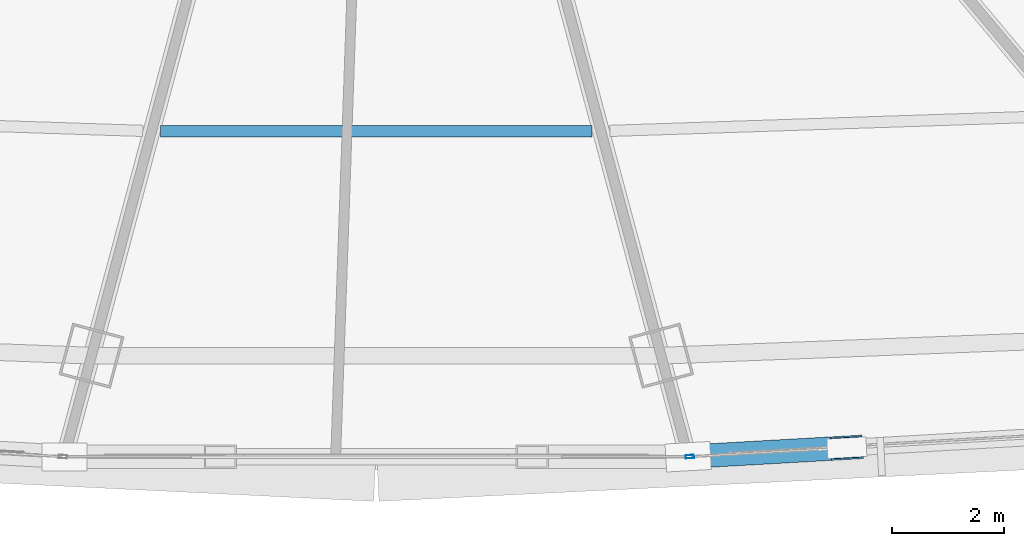
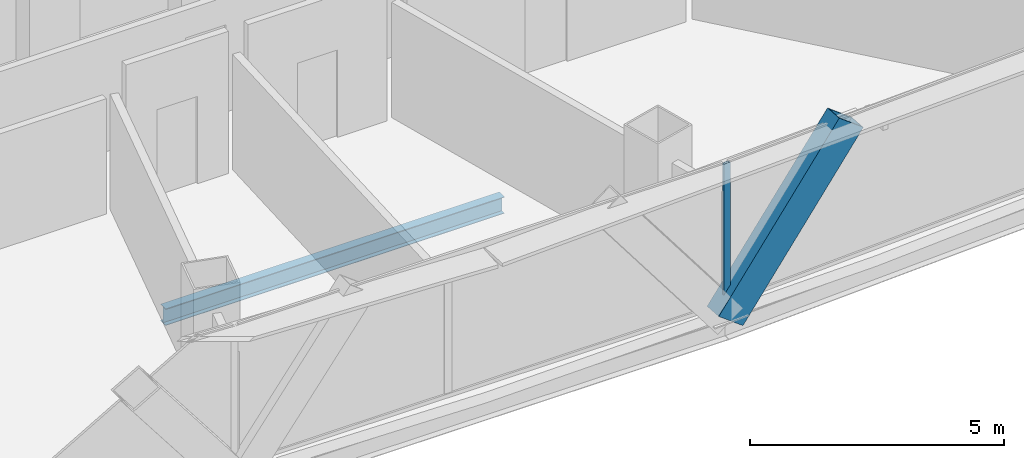
# One storey, part 12 of 42: 2 members, 1 beam, 1 element without a shape of its own.
"""IFC4 building model written with IfcOpenShell, lengths in metres."""

from ifc_helpers import new_model, si_unit, direction, frame, origin, origin_2d, place, context, subcontext, project, spatial, hollow_rectangle, i_section, extrude, source, transform, mapped, material, layer, layer_set, material_profile, profile_set, type_object, element, aggregate, save


model = new_model("IFC4")

# Units and contexts
model_context = context("Model", 3, precision=1e-05, world=origin(), true_north=direction((0.0, 1.0)))
body_context = subcontext(model_context, "Body", "Model", "MODEL_VIEW")
ifc_project = project(units=[si_unit("LENGTHUNIT", "METRE"), si_unit("AREAUNIT", "SQUARE_METRE"), si_unit("VOLUMEUNIT", "CUBIC_METRE"), si_unit("PLANEANGLEUNIT", "RADIAN"), si_unit("MASSUNIT", "GRAM", prefix="KILO"), si_unit("THERMODYNAMICTEMPERATUREUNIT", "KELVIN"), si_unit("POWERUNIT", "WATT")], contexts=[model_context])

# Site, building, storey
site_placement = place(None, origin())
site = spatial("IfcSite", under=ifc_project, at=site_placement, CompositionType="ELEMENT")
building_placement = place(site_placement, origin())
building = spatial("IfcBuilding", under=site, at=building_placement, Name="Yunzhuo Pagoda Commons", CompositionType="ELEMENT")
storey_placement = place(building_placement, frame((0.0, 0.0, 129.830078125)))
storey = spatial("IfcBuildingStorey", under=building, at=storey_placement, Name="L32", CompositionType="ELEMENT", Elevation=129.830078125)

# Beam
ifc_material_1 = material(Name="Structural steel Q355B", Category="steel")
ifc_material_profile_1 = material_profile(ifc_material_1, i_section(OverallWidth=0.199951171875, OverallDepth=0.39990234375, WebThickness=0.008056640625, FlangeThickness=0.012939453125, at=origin_2d()), Name="Structural steel Q355B")
ifc_profile_set_1 = profile_set([ifc_material_profile_1], Name="Structural steel Q355B")
beam_type = type_object("IfcBeamType", Name="B-JS1 Joist HN 400x200x8x13", PredefinedType="JOIST", material=ifc_profile_set_1)
shared_shape_1 = source(origin(), body_context, "Body", "SweptSolid", [
    extrude(i_section(OverallWidth=0.199951171875, OverallDepth=0.39990234375, WebThickness=0.008056640625, FlangeThickness=0.012939453125, at=origin_2d()), origin(), (0.0, 0.0, 1.0), 7.7041015625),
])
beam_placement = place(storey_placement, frame((44.14794921875, 18.730712890625, -0.4599609375), z_axis=(1.0, 0.0, 0.0), x_axis=(0.0, 1.0, 0.0)))
element("IfcBeam", 1, at=beam_placement, inside=storey, type_object=beam_type, Name="L32 composite ring joist 2.2", PredefinedType="JOIST", context=body_context, shape_type="MappedRepresentation", body=[
    mapped(shared_shape_1, transform((0.0, 0.0, 0.0), scale=1.0)),
])

# Member
ifc_material_2 = material(Name="Structural steel Q420B", Category="steel")
ifc_material_profile_2 = material_profile(ifc_material_2, hollow_rectangle(XDim=0.419921875, YDim=0.719970703125, WallThickness=0.028076171875, at=origin_2d()), Name="Structural steel Q420B")
ifc_profile_set_2 = profile_set([ifc_material_profile_2], Name="Structural steel Q420B")
member_type_1 = type_object("IfcMemberType", Name="M-DL1 Brace BOX 720x420x28", PredefinedType="BRACE", material=ifc_profile_set_2)
shared_shape_2 = source(origin(), body_context, "Body", "SweptSolid", [
    extrude(hollow_rectangle(XDim=0.419921875, YDim=0.719970703125, WallThickness=0.028076171875, at=origin_2d()), origin(), (0.0, 0.0, 1.0), 4.646484375),
])
member_1_placement = place(storey_placement, frame((53.56884765625, 12.917724609375, -0.260009765625), z_axis=(0.609555877841, 0.034626094604, 0.791986531049), x_axis=(-0.056714017439, 0.998390464811, 0.0)))
element("IfcMember", 2, at=member_1_placement, inside=storey, type_object=member_type_1, Name="L32 facade diamond brace F1.3L", PredefinedType="BRACE", context=body_context, shape_type="MappedRepresentation", body=[
    mapped(shared_shape_2, transform((0.0, 0.0, 0.0), scale=1.0)),
])

# Curtain wall, member
ifc_material_3 = material(Name="Anodized aluminium 6063-T6", Category="aluminium")
ifc_layer = layer(ifc_material_3, 0.14990234375)
ifc_layer_set = layer_set([ifc_layer], Name="Anodized aluminium 6063-T6")
curtain_wall_type = type_object("IfcCurtainWallType", Name="CW-MID Mid-Zone Ribbon Curtain Wall", PredefinedType="NOTDEFINED", material=ifc_layer_set)
curtain_wall_placement = place(storey_placement, origin())
curtain_wall = element("IfcCurtainWall", 3, at=curtain_wall_placement, inside=storey, type_object=curtain_wall_type, Name="L32 curtain wall CW-L32-F1B4", PredefinedType="NOTDEFINED")
ifc_material_profile_3 = material_profile(ifc_material_3, hollow_rectangle(XDim=0.06005859375, YDim=0.14990234375, WallThickness=0.00390625, at=origin_2d()), Name="Anodized aluminium 6063-T6")
ifc_profile_set_3 = profile_set([ifc_material_profile_3], Name="Anodized aluminium 6063-T6")
member_type_2 = type_object("IfcMemberType", Name="CW-MID-M Mullion RHS 150x60x4", PredefinedType="MULLION", material=ifc_profile_set_3)
shared_shape_3 = source(origin(), body_context, "Body", "SweptSolid", [
    extrude(hollow_rectangle(XDim=0.06005859375, YDim=0.14990234375, WallThickness=0.00390625, at=origin_2d()), origin(), (0.0, 0.0, 1.0), 3.419921875),
])
member_2_placement = place(storey_placement, frame((53.5986328125, 12.91943359375, 0.0), z_axis=(0.0, 0.0, 1.0), x_axis=(-0.056741862165, 0.99838888269, 0.0)))
member_2 = element("IfcMember", 4, at=member_2_placement, type_object=member_type_2, Name="CW mullion 1", PredefinedType="MULLION", context=body_context, shape_type="MappedRepresentation", body=[
    mapped(shared_shape_3, transform((0.0, 0.0, 0.0), scale=1.0)),
])
aggregate(curtain_wall, [member_2])

save(model, "model.ifc")
